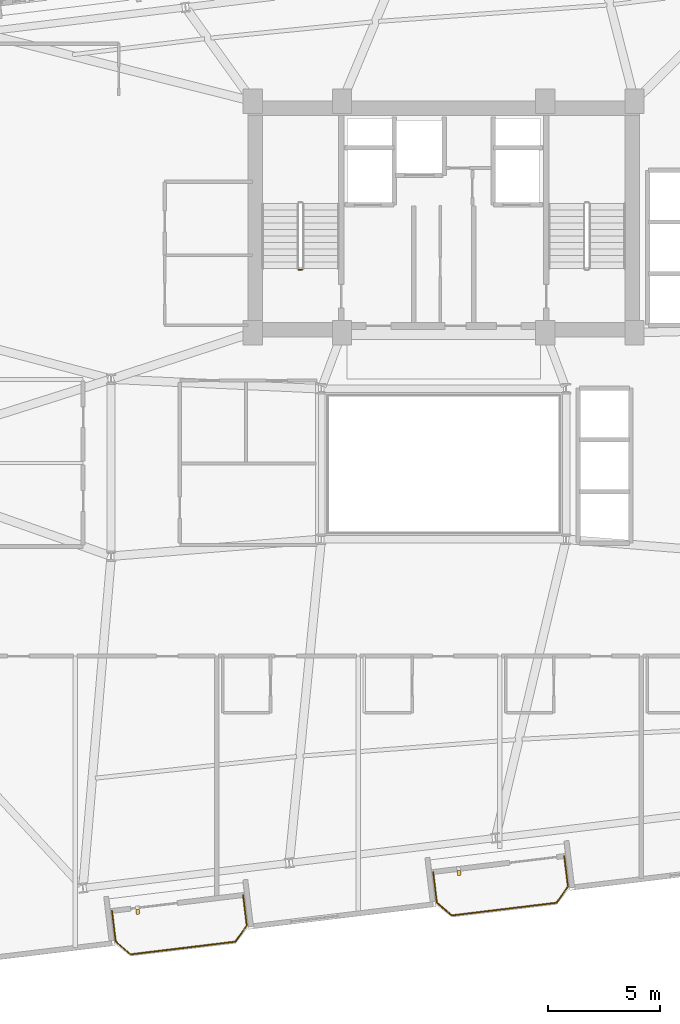
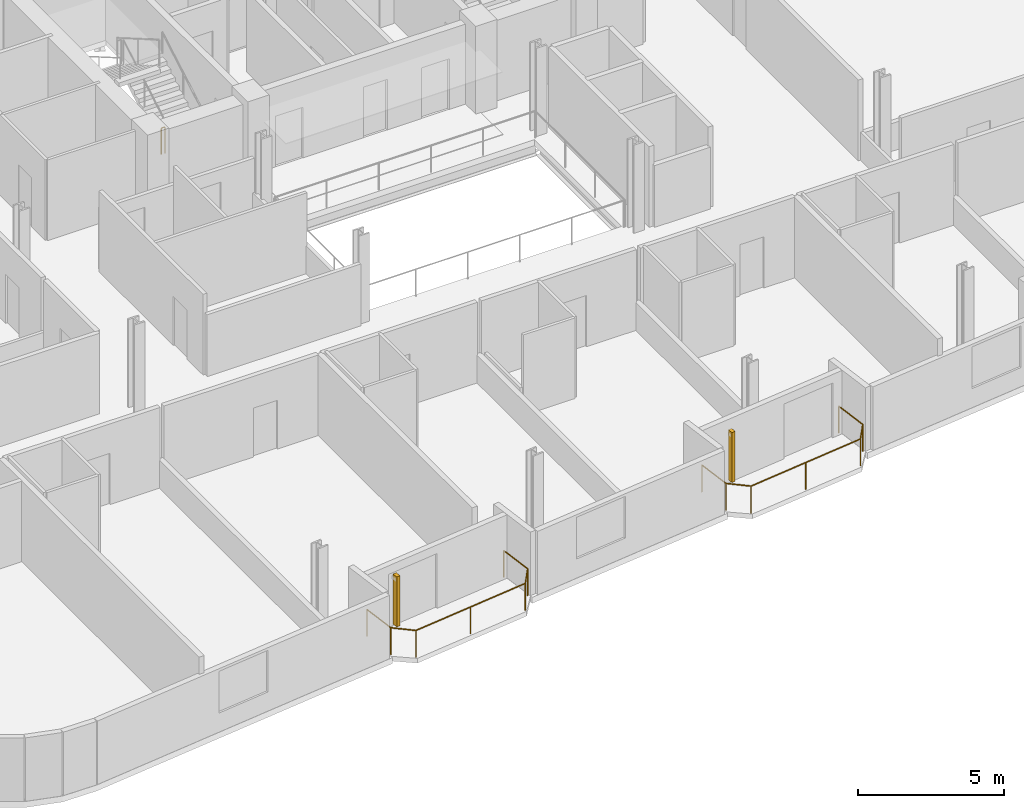
# One storey, part 19 of 22: 3 railings, 2 shading devices.
"""IFC4 building model written with IfcOpenShell, lengths in metres."""

from ifc_helpers import new_model, si_unit, direction, frame, origin, origin_2d, place, context, subcontext, project, spatial, rectangle, circle, extrude, source, transform, mapped, material, type_object, element, save


model = new_model("IFC4")

# Units and contexts
model_context = context("Model", 3, precision=1e-05, world=origin(), true_north=direction((0.0, 1.0)))
body_context = subcontext(model_context, "Body", "Model", "MODEL_VIEW")
ifc_project = project(units=[si_unit("LENGTHUNIT", "METRE"), si_unit("AREAUNIT", "SQUARE_METRE"), si_unit("VOLUMEUNIT", "CUBIC_METRE"), si_unit("PLANEANGLEUNIT", "RADIAN"), si_unit("MASSUNIT", "GRAM", prefix="KILO")], contexts=[model_context])

# Site, building, storey
site_placement = place(None, origin())
site = spatial("IfcSite", under=ifc_project, at=site_placement, CompositionType="ELEMENT")
building_placement = place(site_placement, origin())
building = spatial("IfcBuilding", under=site, at=building_placement, Name="Varnelok Gate Tower", CompositionType="ELEMENT")
storey_placement = place(building_placement, frame((0.0, 0.0, 204.199951171875)))
storey = spatial("IfcBuildingStorey", under=building, at=storey_placement, Name="L52", CompositionType="ELEMENT", Elevation=204.199951171875)

# Railings
ifc_material_1 = material(Name="Low-E Laminated Double Glazing IGU", Category="glass")
railing_type_1 = type_object("IfcRailingType", Name="RL-BALC-1150", PredefinedType="BALUSTRADE", material=ifc_material_1)
railing_1_placement = place(storey_placement, frame((24.43505859375, 3.010986328125, 0.0)))
element("IfcRailing", 1, at=railing_1_placement, inside=storey, type_object=railing_type_1, Name="L52 South Terrace Balustrade 1", PredefinedType="BALUSTRADE", context=body_context, shape_type="SweptSolid", body=[
    extrude(circle(Radius=0.02392578125, at=origin_2d()), frame((0.0, 0.0, 1.1259765625), z_axis=(0.120304754056, -0.992737007546, 0.0), x_axis=(0.992737007546, 0.120304754056, 0.0)), (0.0, 0.0, 1.0), 1.369873046875),
    extrude(circle(Radius=0.02392578125, at=origin_2d()), frame((0.164794921875, -1.35986328125, 1.1259765625), z_axis=(0.756422670136, -0.654083132411, 0.0), x_axis=(0.654083132411, 0.756422670136, 0.0)), (0.0, 0.0, 1.0), 0.8779296875),
    extrude(circle(Radius=0.02392578125, at=origin_2d()), frame((0.828857421875, -1.93408203125, 1.1259765625), z_axis=(0.992736790351, 0.120306546306, 0.0), x_axis=(-0.120306546306, 0.992736790351, 0.0)), (0.0, 0.0, 1.0), 4.699951171875),
    extrude(circle(Radius=0.02392578125, at=origin_2d()), frame((5.49462890625, -1.36865234375, 1.1259765625), z_axis=(0.57815621837, 0.815926091726, 0.0), x_axis=(-0.815926091726, 0.57815621837, 0.0)), (0.0, 0.0, 1.0), 0.8779296875),
    extrude(circle(Radius=0.02392578125, at=origin_2d()), frame((6.002197265625, -0.65234375, 1.1259765625), z_axis=(-0.1204590856, 0.992718292718, 0.0), x_axis=(-0.992718292718, -0.1204590856, 0.0)), (0.0, 0.0, 1.0), 1.3701171875),
    extrude(circle(Radius=0.02099609375, at=origin_2d()), origin(), (0.0, 0.0, 1.0), 1.101806640625),
    extrude(circle(Radius=0.02099609375, at=origin_2d()), frame((0.164794921875, -1.35986328125, 0.0)), (0.0, 0.0, 1.0), 1.101806640625),
    extrude(circle(Radius=0.02099609375, at=origin_2d()), frame((0.828857421875, -1.93408203125, 0.0)), (0.0, 0.0, 1.0), 1.101806640625),
    extrude(circle(Radius=0.02099609375, at=origin_2d()), frame((3.16162109375, -1.6513671875, 0.0)), (0.0, 0.0, 1.0), 1.101806640625),
    extrude(circle(Radius=0.02099609375, at=origin_2d()), frame((5.49462890625, -1.36865234375, 0.0)), (0.0, 0.0, 1.0), 1.101806640625),
    extrude(circle(Radius=0.02099609375, at=origin_2d()), frame((6.002197265625, -0.65234375, 0.0)), (0.0, 0.0, 1.0), 1.101806640625),
    extrude(circle(Radius=0.02099609375, at=origin_2d()), frame((5.837158203125, 0.707763671875, 0.0)), (0.0, 0.0, 1.0), 1.101806640625),
])
railing_2_placement = place(storey_placement, frame((38.73046875, 4.744140625, 0.0)))
element("IfcRailing", 2, at=railing_2_placement, inside=storey, type_object=railing_type_1, Name="L52 South Terrace Balustrade 2", PredefinedType="BALUSTRADE", context=body_context, shape_type="SweptSolid", body=[
    extrude(circle(Radius=0.02392578125, at=origin_2d()), frame((0.0, 0.0, 1.1259765625), z_axis=(0.120283471698, -0.992739586415, 0.0), x_axis=(0.992739586415, 0.120283471698, 0.0)), (0.0, 0.0, 1.0), 1.3701171875),
    extrude(circle(Radius=0.02392578125, at=origin_2d()), frame((0.164794921875, -1.360107421875, 1.1259765625), z_axis=(0.756303655992, -0.654220742513, 0.0), x_axis=(0.654220742513, 0.756303655992, 0.0)), (0.0, 0.0, 1.0), 0.877685546875),
    extrude(circle(Radius=0.02392578125, at=origin_2d()), frame((0.82861328125, -1.934326171875, 1.1259765625), z_axis=(0.99273133746, 0.120351533534, 0.0), x_axis=(-0.120351533534, 0.99273133746, 0.0)), (0.0, 0.0, 1.0), 4.7001953125),
    extrude(circle(Radius=0.02392578125, at=origin_2d()), frame((5.49462890625, -1.36865234375, 1.1259765625), z_axis=(0.577971037086, 0.816057277579, 0.0), x_axis=(-0.816057277579, 0.577971037086, 0.0)), (0.0, 0.0, 1.0), 0.877685546875),
    extrude(circle(Radius=0.02392578125, at=origin_2d()), frame((6.001953125, -0.65234375, 1.1259765625), z_axis=(-0.120304754056, 0.992737007546, 0.0), x_axis=(-0.992737007546, -0.120304754056, 0.0)), (0.0, 0.0, 1.0), 1.369873046875),
    extrude(circle(Radius=0.02099609375, at=origin_2d()), origin(), (0.0, 0.0, 1.0), 1.101806640625),
    extrude(circle(Radius=0.02099609375, at=origin_2d()), frame((0.164794921875, -1.360107421875, 0.0)), (0.0, 0.0, 1.0), 1.101806640625),
    extrude(circle(Radius=0.02099609375, at=origin_2d()), frame((0.82861328125, -1.934326171875, 0.0)), (0.0, 0.0, 1.0), 1.101806640625),
    extrude(circle(Radius=0.02099609375, at=origin_2d()), frame((3.16162109375, -1.6513671875, 0.0)), (0.0, 0.0, 1.0), 1.101806640625),
    extrude(circle(Radius=0.02099609375, at=origin_2d()), frame((5.49462890625, -1.36865234375, 0.0)), (0.0, 0.0, 1.0), 1.101806640625),
    extrude(circle(Radius=0.02099609375, at=origin_2d()), frame((6.001953125, -0.65234375, 0.0)), (0.0, 0.0, 1.0), 1.101806640625),
    extrude(circle(Radius=0.02099609375, at=origin_2d()), frame((5.837158203125, 0.70751953125, 0.0)), (0.0, 0.0, 1.0), 1.101806640625),
])
ifc_material_2 = material(Name="Galvanized Steel Grade S350GD", Category="steel")
railing_type_2 = type_object("IfcRailingType", Name="RL-STAIR-GUARD1120", PredefinedType="GUARDRAIL", material=ifc_material_2)
railing_3_placement = place(storey_placement, frame((32.89990234375, 31.550048828125, 0.0)))
element("IfcRailing", 3, at=railing_3_placement, inside=storey, type_object=railing_type_2, Name="L52 ST-1 stair guard 4", PredefinedType="GUARDRAIL", context=body_context, shape_type="SweptSolid", body=[
    extrude(circle(Radius=0.02392578125, at=origin_2d()), frame((0.0, 0.0, 1.09619140625), z_axis=(-1.0, 0.0, 0.0), x_axis=(0.0, -1.0, 0.0)), (0.0, 0.0, 1.0), 0.14990234375),
    extrude(circle(Radius=0.02099609375, at=origin_2d()), origin(), (0.0, 0.0, 1.0), 1.072021484375),
    extrude(circle(Radius=0.02099609375, at=origin_2d()), frame((-0.14990234375, 0.0, 0.0)), (0.0, 0.0, 1.0), 1.072021484375),
])

# Shading devices
ifc_material_3 = material(Name="Glazed Architectural Terracotta Ceramic", Category="masonry")
shading_device_type = type_object("IfcShadingDeviceType", Name="SHD-TERRA-BAGUETTE", PredefinedType="USERDEFINED", material=ifc_material_3)
shared_shape = source(origin(), body_context, "Body", "SweptSolid", [
    extrude(rectangle(XDim=0.139892578125, YDim=0.219970703125, at=origin_2d()), origin(), (0.0, 0.0, 1.0), 2.10009765625),
])
for number, where, z_axis, x_axis, name in (
    (4, (25.58837890625, 2.969482421875, 0.10009765625), (0.0, 0.0, 1.0), (0.992732158755, 0.12034475881, 0.0), "L52 Terracotta Ceramic Baguette Sunscreen 1.1"),
    (5, (39.8837890625, 4.70263671875, 0.10009765625), (0.0, 0.0, 1.0), (0.992732158755, 0.12034475881, 0.0), "L52 Terracotta Ceramic Baguette Sunscreen 2.1"),
):
    element("IfcShadingDevice", number, at=place(storey_placement, frame(where, z_axis=z_axis, x_axis=x_axis)), inside=storey, type_object=shading_device_type, Name=name, ObjectType="BAGUETTE", PredefinedType="USERDEFINED", context=body_context, shape_type="MappedRepresentation", body=[
        mapped(shared_shape, transform((0.0, 0.0, 0.0), scale=1.0)),
    ])

save(model, "model.ifc")
